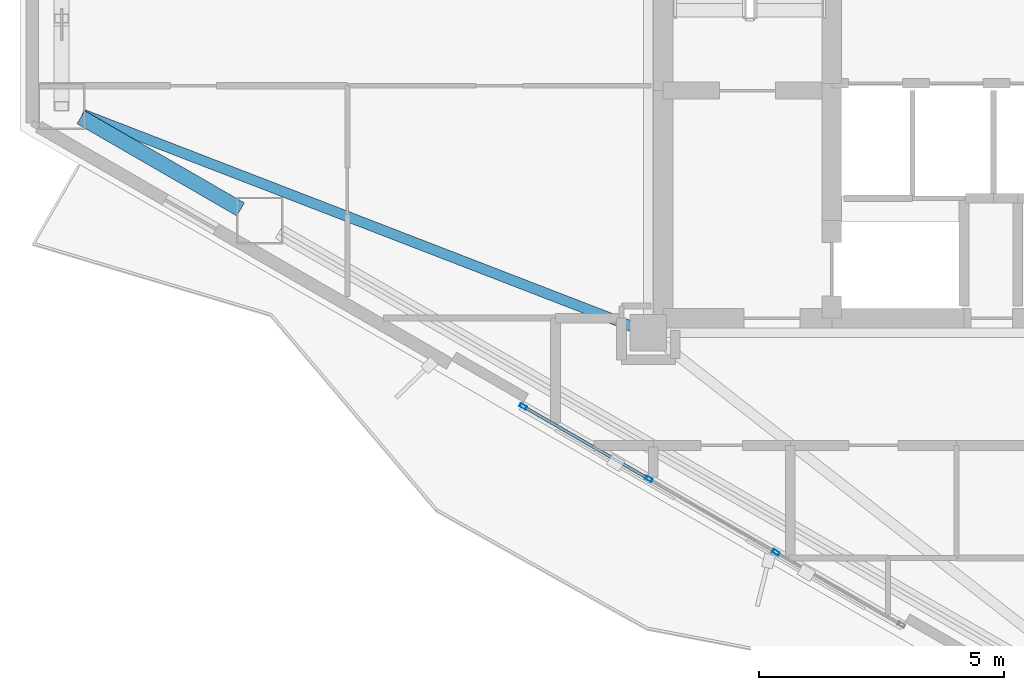
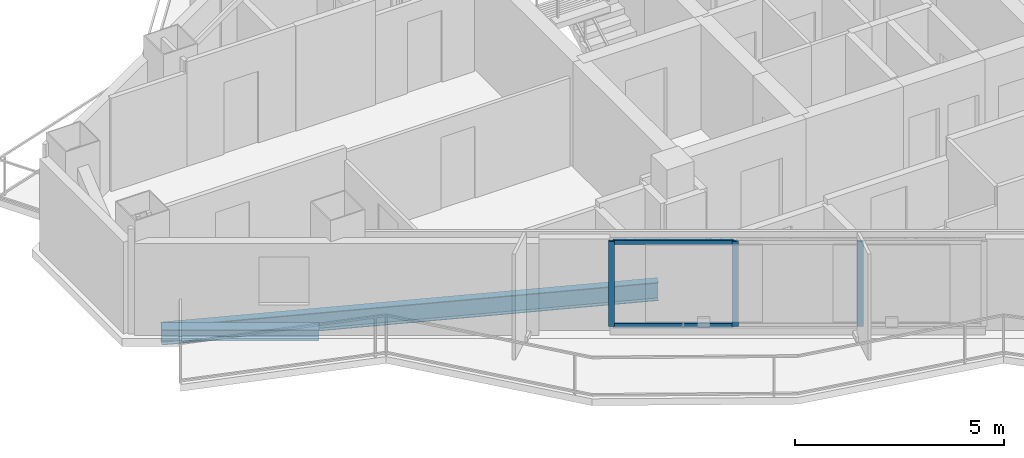
# One storey, part 2 of 22: 5 members, 2 beams, 1 element without a shape of its own.
"""IFC4 building model written with IfcOpenShell, lengths in metres."""

from ifc_helpers import new_model, si_unit, direction, frame, origin, origin_2d, place, context, subcontext, project, spatial, hollow_rectangle, i_section, extrude, material, layer, layer_set, material_profile, profile_set, type_object, element, aggregate, save


model = new_model("IFC4")

# Units and contexts
model_context = context("Model", 3, precision=1e-05, world=origin(), true_north=direction((0.0, 1.0)))
body_context = subcontext(model_context, "Body", "Model", "MODEL_VIEW")
ifc_project = project(units=[si_unit("LENGTHUNIT", "METRE"), si_unit("AREAUNIT", "SQUARE_METRE"), si_unit("VOLUMEUNIT", "CUBIC_METRE"), si_unit("PLANEANGLEUNIT", "RADIAN"), si_unit("MASSUNIT", "GRAM", prefix="KILO")], contexts=[model_context])

# Site, building, storey
site_placement = place(None, origin())
site = spatial("IfcSite", under=ifc_project, at=site_placement, CompositionType="ELEMENT")
building_placement = place(site_placement, origin())
building = spatial("IfcBuilding", under=site, at=building_placement, Name="Mersakhor Tower and Convention Hall", CompositionType="ELEMENT")
storey_placement = place(building_placement, frame((0.0, 0.0, 188.699951171875)))
storey = spatial("IfcBuildingStorey", under=building, at=storey_placement, Name="L52", CompositionType="ELEMENT", Elevation=188.699951171875)

# Beams
ifc_material_1 = material(Name="Steel S355", Category="steel")
ifc_material_profile_1 = material_profile(ifc_material_1, i_section(OverallWidth=0.2099609375, OverallDepth=0.53662109375, WebThickness=0.0107421875, FlangeThickness=0.017333984375, at=origin_2d()), Name="UB 533x210x101")
ifc_profile_set_1 = profile_set([ifc_material_profile_1], Name="Steel S355")
beam_type_1 = type_object("IfcBeamType", Name="BM-FB-533", PredefinedType="BEAM", material=ifc_profile_set_1)
beam_1_placement = place(storey_placement, frame((21.56884765625, 20.577880859375, -0.498291015625), z_axis=(-0.93276514993, 0.360484639167, 0.0), x_axis=(-0.360484639167, -0.93276514993, 0.0)))
element("IfcBeam", 1, at=beam_1_placement, inside=storey, type_object=beam_type_1, Name="L52 Primary Floor Girder FG-6", PredefinedType="BEAM", context=body_context, shape_type="SweptSolid", body=[
    extrude(i_section(OverallWidth=0.2099609375, OverallDepth=0.53662109375, WebThickness=0.0107421875, FlangeThickness=0.017333984375, at=origin_2d()), origin(), (0.0, 0.0, 1.0), 12.047119140625),
])
ifc_material_2 = material(Name="Steel S355", Category="steel")
ifc_material_profile_2 = material_profile(ifc_material_2, i_section(OverallWidth=0.30908203125, OverallDepth=0.320556640625, WebThickness=0.013916015625, FlangeThickness=0.021728515625, at=origin_2d()), Name="UC 305x305x137")
ifc_profile_set_2 = profile_set([ifc_material_profile_2], Name="Steel S355")
beam_type_2 = type_object("IfcBeamType", Name="BM-SPD-UC305", PredefinedType="SPANDREL", material=ifc_profile_set_2)
beam_2_placement = place(storey_placement, frame((13.56591796875, 22.97265625, -0.39013671875), z_axis=(-0.866046450459, 0.499963544319, 0.0), x_axis=(-0.499963544319, -0.866046450459, 0.0)))
element("IfcBeam", 2, at=beam_2_placement, inside=storey, type_object=beam_type_2, Name="L52 Perimeter Spandrel Beam SPB-11", PredefinedType="SPANDREL", context=body_context, shape_type="SweptSolid", body=[
    extrude(i_section(OverallWidth=0.30908203125, OverallDepth=0.320556640625, WebThickness=0.013916015625, FlangeThickness=0.021728515625, at=origin_2d()), origin(), (0.0, 0.0, 1.0), 3.769287109375),
])

# Curtain wall, members
ifc_material_3 = material(Name="Dark solar low-E aluminium curtain wall", Category="aluminium")
ifc_layer = layer(ifc_material_3, 0.169921875)
ifc_layer_set = layer_set([ifc_layer], Name="Dark solar low-E aluminium curtain wall")
curtain_wall_type = type_object("IfcCurtainWallType", Name="CW-SYS-02", PredefinedType="USERDEFINED", material=ifc_layer_set)
curtain_wall_placement = place(storey_placement, origin())
curtain_wall = element("IfcCurtainWall", 3, at=curtain_wall_placement, inside=storey, type_object=curtain_wall_type, Name="L52 Dark-Glass Curtain Wall F3-B2", ObjectType="CURTAIN WALL", PredefinedType="USERDEFINED")
ifc_material_4 = material(Name="Anodised aluminium EN AW-6063 T6", Category="aluminium")
ifc_material_profile_3 = material_profile(ifc_material_4, hollow_rectangle(XDim=0.074951171875, YDim=0.14990234375, WallThickness=0.00634765625, at=origin_2d()), Name="RHS 150x75x6.3")
ifc_profile_set_3 = profile_set([ifc_material_profile_3], Name="Anodised aluminium EN AW-6063 T6")
member_type_1 = type_object("IfcMemberType", Name="CWM-150x75", PredefinedType="MULLION", material=ifc_profile_set_3)
member_1_placement = place(storey_placement, frame((24.504638671875, 15.964111328125, 0.199951171875), z_axis=(0.0, 0.0, 1.0), x_axis=(-0.500007824483, -0.86602088627, 0.0)))
member_1 = element("IfcMember", 4, at=member_1_placement, type_object=member_type_1, Name="CW-02 mullion 2", PredefinedType="MULLION", context=body_context, shape_type="SweptSolid", body=[
    extrude(hollow_rectangle(XDim=0.074951171875, YDim=0.14990234375, WallThickness=0.00634765625, at=origin_2d()), origin(), (0.0, 0.0, 1.0), 2.489990234375),
])
member_2_placement = place(storey_placement, frame((21.906982421875, 17.464111328125, 0.199951171875), z_axis=(0.0, 0.0, 1.0), x_axis=(-0.500007824483, -0.86602088627, 0.0)))
member_2 = element("IfcMember", 5, at=member_2_placement, type_object=member_type_1, Name="CW-02 mullion 3", PredefinedType="MULLION", context=body_context, shape_type="SweptSolid", body=[
    extrude(hollow_rectangle(XDim=0.074951171875, YDim=0.14990234375, WallThickness=0.00634765625, at=origin_2d()), origin(), (0.0, 0.0, 1.0), 2.489990234375),
])
member_3_placement = place(storey_placement, frame((19.341796875, 18.945068359375, 0.199951171875), z_axis=(0.0, 0.0, 1.0), x_axis=(-0.500007824483, -0.86602088627, 0.0)))
member_3 = element("IfcMember", 6, at=member_3_placement, type_object=member_type_1, Name="CW-02 mullion 4", PredefinedType="MULLION", context=body_context, shape_type="SweptSolid", body=[
    extrude(hollow_rectangle(XDim=0.074951171875, YDim=0.14990234375, WallThickness=0.00634765625, at=origin_2d()), origin(), (0.0, 0.0, 1.0), 2.489990234375),
])
ifc_material_5 = material(Name="Anodised aluminium EN AW-6063 T6", Category="aluminium")
ifc_material_profile_4 = material_profile(ifc_material_5, hollow_rectangle(XDim=0.06005859375, YDim=0.1201171875, WallThickness=0.0048828125, at=origin_2d()), Name="RHS 120x60x5")
ifc_profile_set_4 = profile_set([ifc_material_profile_4], Name="Anodised aluminium EN AW-6063 T6")
member_type_2 = type_object("IfcMemberType", Name="CWT-120x60", PredefinedType="USERDEFINED", material=ifc_profile_set_4)
member_4_placement = place(storey_placement, frame((21.87451171875, 17.48291015625, 0.22998046875), z_axis=(-0.86601237176, 0.50002257145, 0.0), x_axis=(-0.50002257145, -0.86601237176, 0.0)))
member_4 = element("IfcMember", 7, at=member_4_placement, type_object=member_type_2, Name="CW-02 transom 3.1", ObjectType="TRANSOM", PredefinedType="USERDEFINED", context=body_context, shape_type="SweptSolid", body=[
    extrude(hollow_rectangle(XDim=0.06005859375, YDim=0.1201171875, WallThickness=0.0048828125, at=origin_2d()), origin(), (0.0, 0.0, 1.0), 2.886962890625),
])
member_5_placement = place(storey_placement, frame((21.87451171875, 17.48291015625, 2.66015625), z_axis=(-0.86601237176, 0.50002257145, 0.0), x_axis=(-0.50002257145, -0.86601237176, 0.0)))
member_5 = element("IfcMember", 8, at=member_5_placement, type_object=member_type_2, Name="CW-02 transom 3.2", ObjectType="TRANSOM", PredefinedType="USERDEFINED", context=body_context, shape_type="SweptSolid", body=[
    extrude(hollow_rectangle(XDim=0.06005859375, YDim=0.1201171875, WallThickness=0.0048828125, at=origin_2d()), origin(), (0.0, 0.0, 1.0), 2.886962890625),
])
aggregate(curtain_wall, [member_1, member_2, member_3, member_4, member_5])

save(model, "model.ifc")
